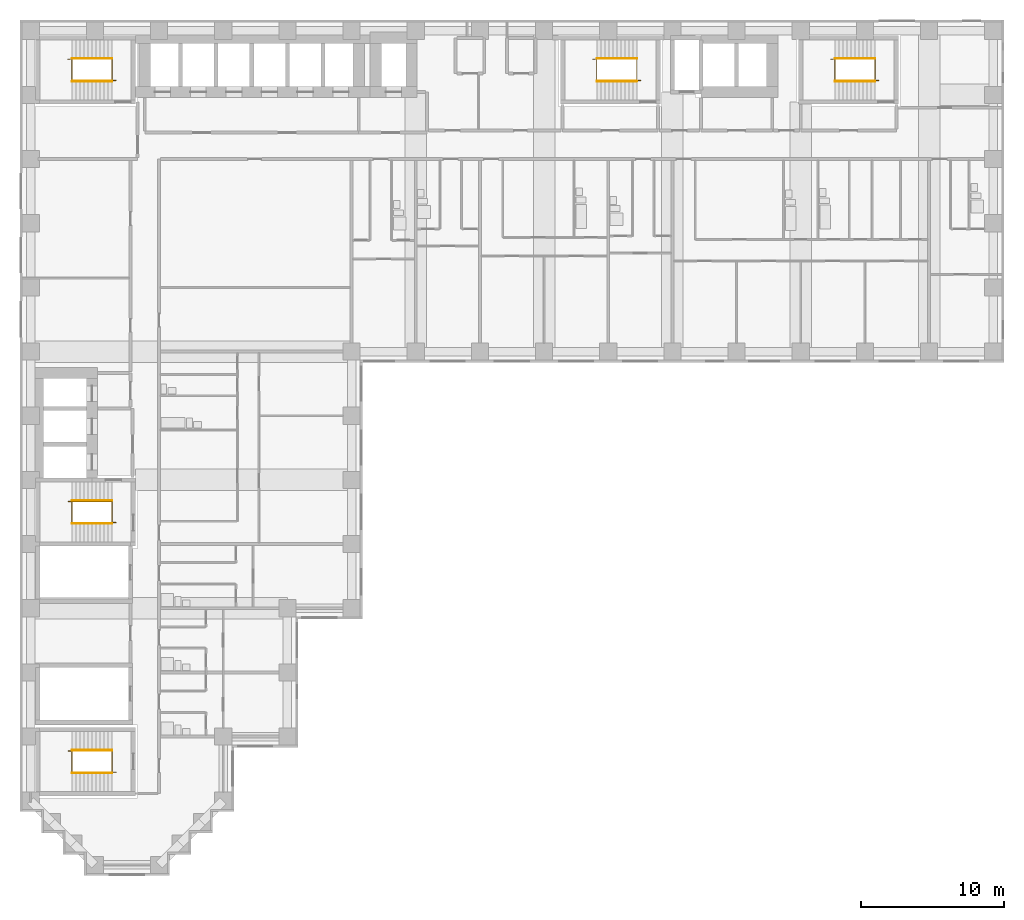
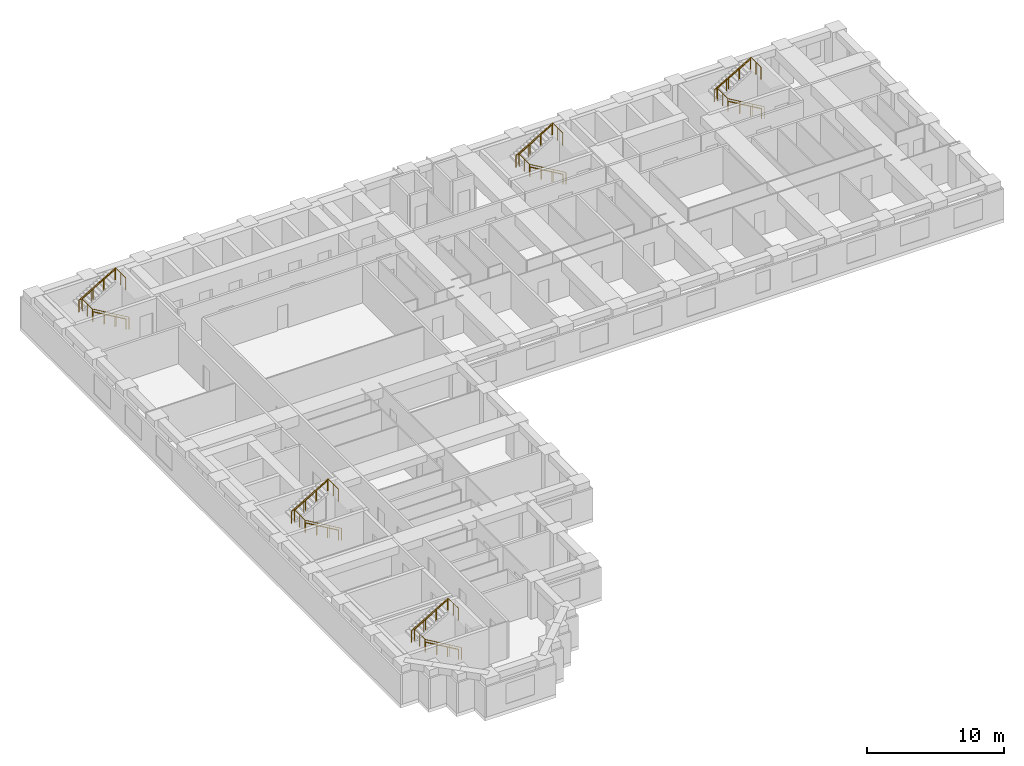
# One storey, part 11 of 12: 15 railings.
"""IFC4 building model written with IfcOpenShell, lengths in metres."""

import ifcopenshell
import ifcopenshell.guid

model = None  # the IFC model being written
_history = None  # IfcOwnerHistory: only IFC2X3 demands one
_inside = {}  # id of a spatial element -> (the spatial element, [elements in it])
_under = {}  # id of a project, library or spatial element -> (it, [spatial elements below it])
_declared = {}  # id of a project -> (the project, [libraries it declares])
_typed = {}  # id of a type object -> (the type object, [elements of that type])
_made_of = {}  # id of a material, layer set ... -> (it, [elements and type objects made of it])


def new_model(schema):
    """Start an empty IFC model of exactly this schema.

    Asked for "IFC4X3", IfcOpenShell would pick the latest addendum, in which some entities
    have other attributes; the version numbers below select the first issue.
    IFC2X3 requires an IfcOwnerHistory on every rooted entity: one is made here for all.
    """
    global model, _history
    if schema == "IFC4X3":
        model = ifcopenshell.file(schema_version=(4, 3, 0, 0))
    else:
        model = ifcopenshell.file(schema=schema)
    _inside.clear()
    _under.clear()
    _declared.clear()
    _typed.clear()
    _made_of.clear()
    _history = None
    if model.schema == "IFC2X3":
        org = make("IfcOrganization", Name="unknown")
        user = make(
            "IfcPersonAndOrganization",
            ThePerson=make("IfcPerson", FamilyName="unknown"),
            TheOrganization=org,
        )
        app = make(
            "IfcApplication",
            ApplicationDeveloper=org,
            Version="unknown",
            ApplicationFullName="unknown",
            ApplicationIdentifier="unknown",
        )
        _history = make(
            "IfcOwnerHistory",
            OwningUser=user,
            OwningApplication=app,
            ChangeAction="ADDED",
            CreationDate=0,
        )
    return model


def make(cls, **values):
    """One entity of the class cls with the attributes given. An attribute that is None is left unset."""
    return model.create_entity(
        cls, **{name: value for name, value in values.items() if value is not None}
    )


def rooted(cls, **values):
    """An entity with a GlobalId (a new one), such as an element, a storey or a relation."""
    return make(cls, GlobalId=ifcopenshell.guid.new(), OwnerHistory=_history, **values)


def si_unit(unit_type, name, prefix=None):
    """IfcSIUnit, for example si_unit("LENGTHUNIT", "METRE", prefix="MILLI")."""
    return make("IfcSIUnit", UnitType=unit_type, Prefix=prefix, Name=name)


def assignment(units):
    """IfcUnitAssignment: the units of a project."""
    return None if units is None else make("IfcUnitAssignment", Units=units)


def point(xyz):
    """IfcCartesianPoint."""
    return None if xyz is None else make("IfcCartesianPoint", Coordinates=xyz)


def direction(xyz):
    """IfcDirection."""
    return None if xyz is None else make("IfcDirection", DirectionRatios=xyz)


def frame(location, z_axis=None, x_axis=None):
    """IfcAxis2Placement3D, a coordinate frame: its origin and axes. An axis left out is left unset."""
    return make(
        "IfcAxis2Placement3D",
        Location=point(location),
        Axis=direction(z_axis),
        RefDirection=direction(x_axis),
    )


def frame_2d(location, x_axis=None):
    """IfcAxis2Placement2D, a coordinate frame in the plane: its origin and x axis."""
    return make(
        "IfcAxis2Placement2D", Location=point(location), RefDirection=direction(x_axis)
    )


def origin():
    """The frame at (0, 0, 0) with its axes left unset."""
    return frame((0.0, 0.0, 0.0))


def origin_2d():
    """The frame at (0, 0) in the plane with its x axis left unset."""
    return frame_2d((0.0, 0.0))


def place(relative_to, where):
    """IfcLocalPlacement: puts the frame where relative to a parent placement (None: the world)."""
    return make(
        "IfcLocalPlacement", PlacementRelTo=relative_to, RelativePlacement=where
    )


def context(
    kind, dimensions, precision=None, world=None, true_north=None, identifier=None
):
    """IfcGeometricRepresentationContext, for example the 3D "Model" context."""
    return make(
        "IfcGeometricRepresentationContext",
        ContextIdentifier=identifier,
        ContextType=kind,
        CoordinateSpaceDimension=dimensions,
        Precision=precision,
        WorldCoordinateSystem=world,
        TrueNorth=true_north,
    )


def subcontext(parent, identifier, kind, view, scale=None):
    """IfcGeometricRepresentationSubContext, for example "Body" below "Model"."""
    return make(
        "IfcGeometricRepresentationSubContext",
        ContextIdentifier=identifier,
        ContextType=kind,
        ParentContext=parent,
        TargetScale=scale,
        TargetView=view,
    )


def project(units=None, contexts=None):
    """IfcProject with its units and contexts."""
    return rooted(
        "IfcProject",
        Name="project",
        RepresentationContexts=contexts,
        UnitsInContext=assignment(units),
    )


def spatial(cls, under=None, at=None, **own):
    """A site, building, storey or space (cls), placed at a placement, below another one or the project."""
    s = rooted(cls, ObjectPlacement=at, **own)
    if under is not None:
        _under.setdefault(under.id(), (under, []))[1].append(s)
    return s


def profile(cls, at=None, kind="AREA", **sizes):
    """A parametric profile (cls). Its sizes go by their IFC names, for example OverallWidth=200.0."""
    return make(cls, ProfileType=kind, Position=at, **sizes)


def circle(**sizes):
    """IfcCircleProfileDef."""
    return profile("IfcCircleProfileDef", **sizes)


def extrude(swept, where, along, depth):
    """IfcExtrudedAreaSolid: the profile swept, set in the frame where, extruded along a direction by depth."""
    return make(
        "IfcExtrudedAreaSolid",
        SweptArea=swept,
        Position=where,
        ExtrudedDirection=direction(along),
        Depth=depth,
    )


def shape(context_of_items, identifier, shape_type, items):
    """IfcShapeRepresentation: the items that make up one representation, for example the "Body"."""
    return make(
        "IfcShapeRepresentation",
        ContextOfItems=context_of_items,
        RepresentationIdentifier=identifier,
        RepresentationType=shape_type,
        Items=items,
    )


def material(Name=None, Category=None):
    """IfcMaterial."""
    return make("IfcMaterial", Name=Name, Category=Category)


def made_of(thing, what):
    """Note that an element or type object is made of a material, layer set ...; save() writes the relation."""
    if what is not None:
        _made_of.setdefault(what.id(), (what, []))[1].append(thing)
    return thing


def type_object(cls, material=None, **own):
    """A type object (cls), such as IfcWallType, which elements share."""
    return made_of(rooted(cls, **own), material)


def element(
    cls,
    number,
    at=None,
    inside=None,
    cuts=None,
    type_object=None,
    material=None,
    context=None,
    identifier="Body",
    shape_type=None,
    held_by="IfcProductDefinitionShape",
    body=None,
    shapes=None,
    **own,
):
    """One element of the class cls, such as IfcWall. Its Tag is "e" and its number.

    at: its placement. inside: the storey or other place that contains it. cuts: it is an
    opening in that element (IfcRelVoidsElement). A single representation is given by context,
    identifier, shape_type and body (its items); several are given by shapes. held_by: the class
    of the entity that holds the representations. save() writes the other relations.
    """
    e = rooted(cls, Tag="e%d" % number, ObjectPlacement=at, **own)
    if body is not None:
        shapes = [shape(context, identifier, shape_type, body)]
    if shapes is not None:
        e.Representation = make(held_by, Representations=shapes)
    if inside is not None:
        _inside.setdefault(inside.id(), (inside, []))[1].append(e)
    if cuts is not None:
        rooted(
            "IfcRelVoidsElement", RelatingBuildingElement=cuts, RelatedOpeningElement=e
        )
    if type_object is not None:
        _typed.setdefault(type_object.id(), (type_object, []))[1].append(e)
    return made_of(e, material)


def aggregate(whole, parts):
    """IfcRelAggregates: a whole, such as a stair, and the parts it consists of."""
    return rooted("IfcRelAggregates", RelatingObject=whole, RelatedObjects=parts)


def save(model, path):
    """Write the relations noted so far, then the file.

    IfcRelAggregates (storeys below a building ...), IfcRelContainedInSpatialStructure (elements
    in a storey), IfcRelDefinesByType, IfcRelAssociatesMaterial and IfcRelDeclares: one each for
    every whole, place, type object, material and project.
    """
    for whole, parts in _under.values():
        aggregate(whole, parts)
    for where, things in _inside.values():
        rooted(
            "IfcRelContainedInSpatialStructure",
            RelatedElements=things,
            RelatingStructure=where,
        )
    for kind, things in _typed.values():
        rooted("IfcRelDefinesByType", RelatedObjects=things, RelatingType=kind)
    for what, things in _made_of.values():
        rooted("IfcRelAssociatesMaterial", RelatedObjects=things, RelatingMaterial=what)
    for by, libraries in _declared.values():
        rooted("IfcRelDeclares", RelatingContext=by, RelatedDefinitions=libraries)
    model.write(path)


model = new_model("IFC4")

# Units and contexts
model_context = context("Model", 3, precision=1e-05, world=origin(), true_north=direction((0.0, 1.0)))
body_context = subcontext(model_context, "Body", "Model", "MODEL_VIEW")
ifc_project = project(units=[si_unit("LENGTHUNIT", "METRE"), si_unit("AREAUNIT", "SQUARE_METRE"), si_unit("VOLUMEUNIT", "CUBIC_METRE"), si_unit("PLANEANGLEUNIT", "RADIAN"), si_unit("MASSUNIT", "GRAM", prefix="KILO")], contexts=[model_context])

# Site, building, storey
site_placement = place(None, origin())
site = spatial("IfcSite", under=ifc_project, at=site_placement, CompositionType="ELEMENT")
building_placement = place(site_placement, origin())
building = spatial("IfcBuilding", under=site, at=building_placement, Name="Firuza Court", CompositionType="ELEMENT")
storey_placement = place(building_placement, frame((0.0, 0.0, 43.39990234375)))
storey = spatial("IfcBuildingStorey", under=building, at=storey_placement, Name="L09", CompositionType="ELEMENT", Elevation=43.39990234375)

# Railings
ifc_material_1 = material(Name="Steel S355", Category="steel")
railing_type_1 = type_object("IfcRailingType", Name="Handrail 900", PredefinedType="HANDRAIL", material=ifc_material_1)
railing_1_placement = place(storey_placement, frame((42.5, 54.949951171875, 0.163818359375)))
element("IfcRailing", 1, at=railing_1_placement, inside=storey, type_object=railing_type_1, Name="Handrail S1 flight 1", PredefinedType="HANDRAIL", context=body_context, shape_type="SweptSolid", body=[
    extrude(circle(Radius=0.02490234375, at=origin_2d()), frame((0.0, 0.0, 0.875), z_axis=(-0.863393664356, 0.0, 0.504530851732), x_axis=(0.0, -1.0, 0.0)), (0.0, 0.0, 1.0), 3.2431640625),
    extrude(circle(Radius=0.02001953125, at=origin_2d()), origin(), (0.0, 0.0, 1.0), 0.849853515625),
    extrude(circle(Radius=0.02001953125, at=origin_2d()), frame((-0.933349609375, 0.0, 0.54541015625)), (0.0, 0.0, 1.0), 0.849853515625),
    extrude(circle(Radius=0.02001953125, at=origin_2d()), frame((-1.86669921875, 0.0, 1.0908203125)), (0.0, 0.0, 1.0), 0.849853515625),
    extrude(circle(Radius=0.02001953125, at=origin_2d()), frame((-2.800048828125, 0.0, 1.63623046875)), (0.0, 0.0, 1.0), 0.849853515625),
])
railing_2_placement = place(storey_placement, frame((39.699951171875, 56.550048828125, 1.963623046875)))
element("IfcRailing", 2, at=railing_2_placement, inside=storey, type_object=railing_type_1, Name="Handrail S1 flight 2", PredefinedType="HANDRAIL", context=body_context, shape_type="SweptSolid", body=[
    extrude(circle(Radius=0.02490234375, at=origin_2d()), frame((0.0, 0.0, 0.875), z_axis=(0.863360870873, 0.0, 0.504586966384), x_axis=(0.0, 1.0, 0.0)), (0.0, 0.0, 1.0), 3.2431640625),
    extrude(circle(Radius=0.02001953125, at=origin_2d()), origin(), (0.0, 0.0, 1.0), 0.849853515625),
    extrude(circle(Radius=0.02001953125, at=origin_2d()), frame((0.933349609375, 0.0, 0.54541015625)), (0.0, 0.0, 1.0), 0.849853515625),
    extrude(circle(Radius=0.02001953125, at=origin_2d()), frame((1.86669921875, 0.0, 1.091064453125)), (0.0, 0.0, 1.0), 0.849853515625),
    extrude(circle(Radius=0.02001953125, at=origin_2d()), frame((2.800048828125, 0.0, 1.636474609375)), (0.0, 0.0, 1.0), 0.849853515625),
])
railing_3_placement = place(storey_placement, frame((5.699951171875, 23.949951171875, 0.163818359375)))
element("IfcRailing", 3, at=railing_3_placement, inside=storey, type_object=railing_type_1, Name="Handrail S2 flight 1", PredefinedType="HANDRAIL", context=body_context, shape_type="SweptSolid", body=[
    extrude(circle(Radius=0.02490234375, at=origin_2d()), frame((0.0, 0.0, 0.875), z_axis=(-0.863393664356, 0.0, 0.504530851732), x_axis=(0.0, -1.0, 0.0)), (0.0, 0.0, 1.0), 3.2431640625),
    extrude(circle(Radius=0.02001953125, at=origin_2d()), origin(), (0.0, 0.0, 1.0), 0.849853515625),
    extrude(circle(Radius=0.02001953125, at=origin_2d()), frame((-0.933349609375, 0.0, 0.54541015625)), (0.0, 0.0, 1.0), 0.849853515625),
    extrude(circle(Radius=0.02001953125, at=origin_2d()), frame((-1.86669921875, 0.0, 1.0908203125)), (0.0, 0.0, 1.0), 0.849853515625),
    extrude(circle(Radius=0.02001953125, at=origin_2d()), frame((-2.800048828125, 0.0, 1.63623046875)), (0.0, 0.0, 1.0), 0.849853515625),
])
railing_4_placement = place(storey_placement, frame((2.89990234375, 25.550048828125, 1.963623046875)))
element("IfcRailing", 4, at=railing_4_placement, inside=storey, type_object=railing_type_1, Name="Handrail S2 flight 2", PredefinedType="HANDRAIL", context=body_context, shape_type="SweptSolid", body=[
    extrude(circle(Radius=0.02490234375, at=origin_2d()), frame((0.0, 0.0, 0.875), z_axis=(0.863360870873, 0.0, 0.504586966384), x_axis=(0.0, 1.0, 0.0)), (0.0, 0.0, 1.0), 3.2431640625),
    extrude(circle(Radius=0.02001953125, at=origin_2d()), origin(), (0.0, 0.0, 1.0), 0.849853515625),
    extrude(circle(Radius=0.02001953125, at=origin_2d()), frame((0.933349609375, 0.0, 0.54541015625)), (0.0, 0.0, 1.0), 0.849853515625),
    extrude(circle(Radius=0.02001953125, at=origin_2d()), frame((1.86669921875, 0.0, 1.091064453125)), (0.0, 0.0, 1.0), 0.849853515625),
    extrude(circle(Radius=0.02001953125, at=origin_2d()), frame((2.800048828125, 0.0, 1.636474609375)), (0.0, 0.0, 1.0), 0.849853515625),
])
railing_5_placement = place(storey_placement, frame((5.699951171875, 54.949951171875, 0.163818359375)))
element("IfcRailing", 5, at=railing_5_placement, inside=storey, type_object=railing_type_1, Name="Handrail S3 flight 1", PredefinedType="HANDRAIL", context=body_context, shape_type="SweptSolid", body=[
    extrude(circle(Radius=0.02490234375, at=origin_2d()), frame((0.0, 0.0, 0.875), z_axis=(-0.863393664356, 0.0, 0.504530851732), x_axis=(0.0, -1.0, 0.0)), (0.0, 0.0, 1.0), 3.2431640625),
    extrude(circle(Radius=0.02001953125, at=origin_2d()), origin(), (0.0, 0.0, 1.0), 0.849853515625),
    extrude(circle(Radius=0.02001953125, at=origin_2d()), frame((-0.933349609375, 0.0, 0.54541015625)), (0.0, 0.0, 1.0), 0.849853515625),
    extrude(circle(Radius=0.02001953125, at=origin_2d()), frame((-1.86669921875, 0.0, 1.0908203125)), (0.0, 0.0, 1.0), 0.849853515625),
    extrude(circle(Radius=0.02001953125, at=origin_2d()), frame((-2.800048828125, 0.0, 1.63623046875)), (0.0, 0.0, 1.0), 0.849853515625),
])
railing_6_placement = place(storey_placement, frame((2.89990234375, 56.550048828125, 1.963623046875)))
element("IfcRailing", 6, at=railing_6_placement, inside=storey, type_object=railing_type_1, Name="Handrail S3 flight 2", PredefinedType="HANDRAIL", context=body_context, shape_type="SweptSolid", body=[
    extrude(circle(Radius=0.02490234375, at=origin_2d()), frame((0.0, 0.0, 0.875), z_axis=(0.863360870873, 0.0, 0.504586966384), x_axis=(0.0, 1.0, 0.0)), (0.0, 0.0, 1.0), 3.2431640625),
    extrude(circle(Radius=0.02001953125, at=origin_2d()), origin(), (0.0, 0.0, 1.0), 0.849853515625),
    extrude(circle(Radius=0.02001953125, at=origin_2d()), frame((0.933349609375, 0.0, 0.54541015625)), (0.0, 0.0, 1.0), 0.849853515625),
    extrude(circle(Radius=0.02001953125, at=origin_2d()), frame((1.86669921875, 0.0, 1.091064453125)), (0.0, 0.0, 1.0), 0.849853515625),
    extrude(circle(Radius=0.02001953125, at=origin_2d()), frame((2.800048828125, 0.0, 1.636474609375)), (0.0, 0.0, 1.0), 0.849853515625),
])
railing_7_placement = place(storey_placement, frame((59.199951171875, 54.949951171875, 0.163818359375)))
element("IfcRailing", 7, at=railing_7_placement, inside=storey, type_object=railing_type_1, Name="Handrail S4 flight 1", PredefinedType="HANDRAIL", context=body_context, shape_type="SweptSolid", body=[
    extrude(circle(Radius=0.02490234375, at=origin_2d()), frame((0.0, 0.0, 0.875), z_axis=(-0.863393664356, 0.0, 0.504530851732), x_axis=(0.0, -1.0, 0.0)), (0.0, 0.0, 1.0), 3.2431640625),
    extrude(circle(Radius=0.02001953125, at=origin_2d()), origin(), (0.0, 0.0, 1.0), 0.849853515625),
    extrude(circle(Radius=0.02001953125, at=origin_2d()), frame((-0.933349609375, 0.0, 0.54541015625)), (0.0, 0.0, 1.0), 0.849853515625),
    extrude(circle(Radius=0.02001953125, at=origin_2d()), frame((-1.86669921875, 0.0, 1.0908203125)), (0.0, 0.0, 1.0), 0.849853515625),
    extrude(circle(Radius=0.02001953125, at=origin_2d()), frame((-2.800048828125, 0.0, 1.63623046875)), (0.0, 0.0, 1.0), 0.849853515625),
])
railing_8_placement = place(storey_placement, frame((56.39990234375, 56.550048828125, 1.963623046875)))
element("IfcRailing", 8, at=railing_8_placement, inside=storey, type_object=railing_type_1, Name="Handrail S4 flight 2", PredefinedType="HANDRAIL", context=body_context, shape_type="SweptSolid", body=[
    extrude(circle(Radius=0.02490234375, at=origin_2d()), frame((0.0, 0.0, 0.875), z_axis=(0.863360870873, 0.0, 0.504586966384), x_axis=(0.0, 1.0, 0.0)), (0.0, 0.0, 1.0), 3.2431640625),
    extrude(circle(Radius=0.02001953125, at=origin_2d()), origin(), (0.0, 0.0, 1.0), 0.849853515625),
    extrude(circle(Radius=0.02001953125, at=origin_2d()), frame((0.933349609375, 0.0, 0.54541015625)), (0.0, 0.0, 1.0), 0.849853515625),
    extrude(circle(Radius=0.02001953125, at=origin_2d()), frame((1.86669921875, 0.0, 1.091064453125)), (0.0, 0.0, 1.0), 0.849853515625),
    extrude(circle(Radius=0.02001953125, at=origin_2d()), frame((2.800048828125, 0.0, 1.636474609375)), (0.0, 0.0, 1.0), 0.849853515625),
])
railing_9_placement = place(storey_placement, frame((5.699951171875, 6.449951171875, 0.163818359375)))
element("IfcRailing", 9, at=railing_9_placement, inside=storey, type_object=railing_type_1, Name="Handrail S5 flight 1", PredefinedType="HANDRAIL", context=body_context, shape_type="SweptSolid", body=[
    extrude(circle(Radius=0.02490234375, at=origin_2d()), frame((0.0, 0.0, 0.875), z_axis=(-0.863393664356, 0.0, 0.504530851732), x_axis=(0.0, -1.0, 0.0)), (0.0, 0.0, 1.0), 3.2431640625),
    extrude(circle(Radius=0.02001953125, at=origin_2d()), origin(), (0.0, 0.0, 1.0), 0.849853515625),
    extrude(circle(Radius=0.02001953125, at=origin_2d()), frame((-0.933349609375, 0.0, 0.54541015625)), (0.0, 0.0, 1.0), 0.849853515625),
    extrude(circle(Radius=0.02001953125, at=origin_2d()), frame((-1.86669921875, 0.0, 1.0908203125)), (0.0, 0.0, 1.0), 0.849853515625),
    extrude(circle(Radius=0.02001953125, at=origin_2d()), frame((-2.800048828125, 0.0, 1.63623046875)), (0.0, 0.0, 1.0), 0.849853515625),
])
railing_10_placement = place(storey_placement, frame((2.89990234375, 8.050048828125, 1.963623046875)))
element("IfcRailing", 10, at=railing_10_placement, inside=storey, type_object=railing_type_1, Name="Handrail S5 flight 2", PredefinedType="HANDRAIL", context=body_context, shape_type="SweptSolid", body=[
    extrude(circle(Radius=0.02490234375, at=origin_2d()), frame((0.0, 0.0, 0.875), z_axis=(0.863360870873, 0.0, 0.504586966384), x_axis=(0.0, 1.0, 0.0)), (0.0, 0.0, 1.0), 3.2431640625),
    extrude(circle(Radius=0.02001953125, at=origin_2d()), origin(), (0.0, 0.0, 1.0), 0.849853515625),
    extrude(circle(Radius=0.02001953125, at=origin_2d()), frame((0.933349609375, 0.0, 0.54541015625)), (0.0, 0.0, 1.0), 0.849853515625),
    extrude(circle(Radius=0.02001953125, at=origin_2d()), frame((1.86669921875, 0.0, 1.091064453125)), (0.0, 0.0, 1.0), 0.849853515625),
    extrude(circle(Radius=0.02001953125, at=origin_2d()), frame((2.800048828125, 0.0, 1.636474609375)), (0.0, 0.0, 1.0), 0.849853515625),
])
ifc_material_2 = material(Name="Steel S355", Category="steel")
railing_type_2 = type_object("IfcRailingType", Name="Stair guard 1100", PredefinedType="GUARDRAIL", material=ifc_material_2)
railing_11_placement = place(storey_placement, frame((42.780029296875, 55.010009765625, 0.0)))
element("IfcRailing", 11, at=railing_11_placement, inside=storey, type_object=railing_type_2, Name="Stair well guard S1", PredefinedType="GUARDRAIL", context=body_context, shape_type="SweptSolid", body=[
    extrude(circle(Radius=0.02490234375, at=origin_2d()), frame((0.0, 0.0, 1.0751953125), z_axis=(-0.863371556955, 0.0, 0.504568681787), x_axis=(0.0, -1.0, 0.0)), (0.0, 0.0, 1.0), 3.5673828125),
    extrude(circle(Radius=0.02490234375, at=origin_2d()), frame((-3.080078125, 0.0, 2.875), z_axis=(0.0, 1.0, 0.0), x_axis=(-1.0, 0.0, 0.0)), (0.0, 0.0, 1.0), 1.47998046875),
    extrude(circle(Radius=0.02490234375, at=origin_2d()), frame((-3.080078125, 1.47998046875, 2.875), z_axis=(-1.0, 0.0, 0.0), x_axis=(0.0, -1.0, 0.0)), (0.0, 0.0, 1.0), 0.280029296875),
    extrude(circle(Radius=0.02490234375, at=origin_2d()), frame((-3.360107421875, 1.47998046875, 2.875), z_axis=(0.863371556955, 0.0, 0.504568681787), x_axis=(0.0, 1.0, 0.0)), (0.0, 0.0, 1.0), 3.5673828125),
    extrude(circle(Radius=0.02490234375, at=origin_2d()), frame((-0.280029296875, 1.47998046875, 4.67529296875), z_axis=(0.0, -1.0, 0.0), x_axis=(1.0, 0.0, 0.0)), (0.0, 0.0, 1.0), 1.47998046875),
    extrude(circle(Radius=0.02490234375, at=origin_2d()), origin(), (0.0, 0.0, 1.0), 1.050048828125),
    extrude(circle(Radius=0.02490234375, at=origin_2d()), frame((-1.026611328125, 0.0, 0.60009765625)), (0.0, 0.0, 1.0), 1.050048828125),
    extrude(circle(Radius=0.02490234375, at=origin_2d()), frame((-2.053466796875, 0.0, 1.199951171875)), (0.0, 0.0, 1.0), 1.050048828125),
    extrude(circle(Radius=0.02490234375, at=origin_2d()), frame((-3.080078125, 0.0, 1.800048828125)), (0.0, 0.0, 1.0), 1.050048828125),
    extrude(circle(Radius=0.02490234375, at=origin_2d()), frame((-3.080078125, 0.739990234375, 1.800048828125)), (0.0, 0.0, 1.0), 1.050048828125),
    extrude(circle(Radius=0.02490234375, at=origin_2d()), frame((-3.080078125, 1.47998046875, 1.800048828125)), (0.0, 0.0, 1.0), 1.050048828125),
    extrude(circle(Radius=0.02490234375, at=origin_2d()), frame((-3.360107421875, 1.47998046875, 1.800048828125)), (0.0, 0.0, 1.0), 1.050048828125),
    extrude(circle(Radius=0.02490234375, at=origin_2d()), frame((-2.33349609375, 1.47998046875, 2.400146484375)), (0.0, 0.0, 1.0), 1.050048828125),
    extrude(circle(Radius=0.02490234375, at=origin_2d()), frame((-1.306640625, 1.47998046875, 3.0)), (0.0, 0.0, 1.0), 1.050048828125),
    extrude(circle(Radius=0.02490234375, at=origin_2d()), frame((-0.280029296875, 1.47998046875, 3.60009765625)), (0.0, 0.0, 1.0), 1.050048828125),
    extrude(circle(Radius=0.02490234375, at=origin_2d()), frame((-0.280029296875, 0.739990234375, 3.60009765625)), (0.0, 0.0, 1.0), 1.050048828125),
    extrude(circle(Radius=0.02490234375, at=origin_2d()), frame((-0.280029296875, 0.0, 3.60009765625)), (0.0, 0.0, 1.0), 1.050048828125),
])
railing_12_placement = place(storey_placement, frame((5.97998046875, 24.010009765625, 0.0)))
element("IfcRailing", 12, at=railing_12_placement, inside=storey, type_object=railing_type_2, Name="Stair well guard S2", PredefinedType="GUARDRAIL", context=body_context, shape_type="SweptSolid", body=[
    extrude(circle(Radius=0.02490234375, at=origin_2d()), frame((0.0, 0.0, 1.0751953125), z_axis=(-0.863371556955, 0.0, 0.504568681787), x_axis=(0.0, -1.0, 0.0)), (0.0, 0.0, 1.0), 3.5673828125),
    extrude(circle(Radius=0.02490234375, at=origin_2d()), frame((-3.080078125, 0.0, 2.875), z_axis=(0.0, 1.0, 0.0), x_axis=(-1.0, 0.0, 0.0)), (0.0, 0.0, 1.0), 1.47998046875),
    extrude(circle(Radius=0.02490234375, at=origin_2d()), frame((-3.080078125, 1.47998046875, 2.875), z_axis=(-1.0, 0.0, 0.0), x_axis=(0.0, -1.0, 0.0)), (0.0, 0.0, 1.0), 0.27978515625),
    extrude(circle(Radius=0.02490234375, at=origin_2d()), frame((-3.35986328125, 1.47998046875, 2.875), z_axis=(0.863354132664, 0.0, 0.504598495452), x_axis=(0.0, 1.0, 0.0)), (0.0, 0.0, 1.0), 3.5673828125),
    extrude(circle(Radius=0.02490234375, at=origin_2d()), frame((-0.280029296875, 1.47998046875, 4.67529296875), z_axis=(0.0, -1.0, 0.0), x_axis=(1.0, 0.0, 0.0)), (0.0, 0.0, 1.0), 1.47998046875),
    extrude(circle(Radius=0.02490234375, at=origin_2d()), origin(), (0.0, 0.0, 1.0), 1.050048828125),
    extrude(circle(Radius=0.02490234375, at=origin_2d()), frame((-1.026611328125, 0.0, 0.60009765625)), (0.0, 0.0, 1.0), 1.050048828125),
    extrude(circle(Radius=0.02490234375, at=origin_2d()), frame((-2.053466796875, 0.0, 1.199951171875)), (0.0, 0.0, 1.0), 1.050048828125),
    extrude(circle(Radius=0.02490234375, at=origin_2d()), frame((-3.080078125, 0.0, 1.800048828125)), (0.0, 0.0, 1.0), 1.050048828125),
    extrude(circle(Radius=0.02490234375, at=origin_2d()), frame((-3.080078125, 0.739990234375, 1.800048828125)), (0.0, 0.0, 1.0), 1.050048828125),
    extrude(circle(Radius=0.02490234375, at=origin_2d()), frame((-3.080078125, 1.47998046875, 1.800048828125)), (0.0, 0.0, 1.0), 1.050048828125),
    extrude(circle(Radius=0.02490234375, at=origin_2d()), frame((-3.35986328125, 1.47998046875, 1.800048828125)), (0.0, 0.0, 1.0), 1.050048828125),
    extrude(circle(Radius=0.02490234375, at=origin_2d()), frame((-2.333251953125, 1.47998046875, 2.400146484375)), (0.0, 0.0, 1.0), 1.050048828125),
    extrude(circle(Radius=0.02490234375, at=origin_2d()), frame((-1.306640625, 1.47998046875, 3.0)), (0.0, 0.0, 1.0), 1.050048828125),
    extrude(circle(Radius=0.02490234375, at=origin_2d()), frame((-0.280029296875, 1.47998046875, 3.60009765625)), (0.0, 0.0, 1.0), 1.050048828125),
    extrude(circle(Radius=0.02490234375, at=origin_2d()), frame((-0.280029296875, 0.739990234375, 3.60009765625)), (0.0, 0.0, 1.0), 1.050048828125),
    extrude(circle(Radius=0.02490234375, at=origin_2d()), frame((-0.280029296875, 0.0, 3.60009765625)), (0.0, 0.0, 1.0), 1.050048828125),
])
railing_13_placement = place(storey_placement, frame((5.97998046875, 55.010009765625, 0.0)))
element("IfcRailing", 13, at=railing_13_placement, inside=storey, type_object=railing_type_2, Name="Stair well guard S3", PredefinedType="GUARDRAIL", context=body_context, shape_type="SweptSolid", body=[
    extrude(circle(Radius=0.02490234375, at=origin_2d()), frame((0.0, 0.0, 1.0751953125), z_axis=(-0.863371556955, 0.0, 0.504568681787), x_axis=(0.0, -1.0, 0.0)), (0.0, 0.0, 1.0), 3.5673828125),
    extrude(circle(Radius=0.02490234375, at=origin_2d()), frame((-3.080078125, 0.0, 2.875), z_axis=(0.0, 1.0, 0.0), x_axis=(-1.0, 0.0, 0.0)), (0.0, 0.0, 1.0), 1.47998046875),
    extrude(circle(Radius=0.02490234375, at=origin_2d()), frame((-3.080078125, 1.47998046875, 2.875), z_axis=(-1.0, 0.0, 0.0), x_axis=(0.0, -1.0, 0.0)), (0.0, 0.0, 1.0), 0.27978515625),
    extrude(circle(Radius=0.02490234375, at=origin_2d()), frame((-3.35986328125, 1.47998046875, 2.875), z_axis=(0.863354132664, 0.0, 0.504598495452), x_axis=(0.0, 1.0, 0.0)), (0.0, 0.0, 1.0), 3.5673828125),
    extrude(circle(Radius=0.02490234375, at=origin_2d()), frame((-0.280029296875, 1.47998046875, 4.67529296875), z_axis=(0.0, -1.0, 0.0), x_axis=(1.0, 0.0, 0.0)), (0.0, 0.0, 1.0), 1.47998046875),
    extrude(circle(Radius=0.02490234375, at=origin_2d()), origin(), (0.0, 0.0, 1.0), 1.050048828125),
    extrude(circle(Radius=0.02490234375, at=origin_2d()), frame((-1.026611328125, 0.0, 0.60009765625)), (0.0, 0.0, 1.0), 1.050048828125),
    extrude(circle(Radius=0.02490234375, at=origin_2d()), frame((-2.053466796875, 0.0, 1.199951171875)), (0.0, 0.0, 1.0), 1.050048828125),
    extrude(circle(Radius=0.02490234375, at=origin_2d()), frame((-3.080078125, 0.0, 1.800048828125)), (0.0, 0.0, 1.0), 1.050048828125),
    extrude(circle(Radius=0.02490234375, at=origin_2d()), frame((-3.080078125, 0.739990234375, 1.800048828125)), (0.0, 0.0, 1.0), 1.050048828125),
    extrude(circle(Radius=0.02490234375, at=origin_2d()), frame((-3.080078125, 1.47998046875, 1.800048828125)), (0.0, 0.0, 1.0), 1.050048828125),
    extrude(circle(Radius=0.02490234375, at=origin_2d()), frame((-3.35986328125, 1.47998046875, 1.800048828125)), (0.0, 0.0, 1.0), 1.050048828125),
    extrude(circle(Radius=0.02490234375, at=origin_2d()), frame((-2.333251953125, 1.47998046875, 2.400146484375)), (0.0, 0.0, 1.0), 1.050048828125),
    extrude(circle(Radius=0.02490234375, at=origin_2d()), frame((-1.306640625, 1.47998046875, 3.0)), (0.0, 0.0, 1.0), 1.050048828125),
    extrude(circle(Radius=0.02490234375, at=origin_2d()), frame((-0.280029296875, 1.47998046875, 3.60009765625)), (0.0, 0.0, 1.0), 1.050048828125),
    extrude(circle(Radius=0.02490234375, at=origin_2d()), frame((-0.280029296875, 0.739990234375, 3.60009765625)), (0.0, 0.0, 1.0), 1.050048828125),
    extrude(circle(Radius=0.02490234375, at=origin_2d()), frame((-0.280029296875, 0.0, 3.60009765625)), (0.0, 0.0, 1.0), 1.050048828125),
])
railing_14_placement = place(storey_placement, frame((59.47998046875, 55.010009765625, 0.0)))
element("IfcRailing", 14, at=railing_14_placement, inside=storey, type_object=railing_type_2, Name="Stair well guard S4", PredefinedType="GUARDRAIL", context=body_context, shape_type="SweptSolid", body=[
    extrude(circle(Radius=0.02490234375, at=origin_2d()), frame((0.0, 0.0, 1.0751953125), z_axis=(-0.863371556955, 0.0, 0.504568681787), x_axis=(0.0, -1.0, 0.0)), (0.0, 0.0, 1.0), 3.5673828125),
    extrude(circle(Radius=0.02490234375, at=origin_2d()), frame((-3.080078125, 0.0, 2.875), z_axis=(0.0, 1.0, 0.0), x_axis=(-1.0, 0.0, 0.0)), (0.0, 0.0, 1.0), 1.47998046875),
    extrude(circle(Radius=0.02490234375, at=origin_2d()), frame((-3.080078125, 1.47998046875, 2.875), z_axis=(-1.0, 0.0, 0.0), x_axis=(0.0, -1.0, 0.0)), (0.0, 0.0, 1.0), 0.27978515625),
    extrude(circle(Radius=0.02490234375, at=origin_2d()), frame((-3.35986328125, 1.47998046875, 2.875), z_axis=(0.863354132664, 0.0, 0.504598495452), x_axis=(0.0, 1.0, 0.0)), (0.0, 0.0, 1.0), 3.5673828125),
    extrude(circle(Radius=0.02490234375, at=origin_2d()), frame((-0.280029296875, 1.47998046875, 4.67529296875), z_axis=(0.0, -1.0, 0.0), x_axis=(1.0, 0.0, 0.0)), (0.0, 0.0, 1.0), 1.47998046875),
    extrude(circle(Radius=0.02490234375, at=origin_2d()), origin(), (0.0, 0.0, 1.0), 1.050048828125),
    extrude(circle(Radius=0.02490234375, at=origin_2d()), frame((-1.026611328125, 0.0, 0.60009765625)), (0.0, 0.0, 1.0), 1.050048828125),
    extrude(circle(Radius=0.02490234375, at=origin_2d()), frame((-2.053466796875, 0.0, 1.199951171875)), (0.0, 0.0, 1.0), 1.050048828125),
    extrude(circle(Radius=0.02490234375, at=origin_2d()), frame((-3.080078125, 0.0, 1.800048828125)), (0.0, 0.0, 1.0), 1.050048828125),
    extrude(circle(Radius=0.02490234375, at=origin_2d()), frame((-3.080078125, 0.739990234375, 1.800048828125)), (0.0, 0.0, 1.0), 1.050048828125),
    extrude(circle(Radius=0.02490234375, at=origin_2d()), frame((-3.080078125, 1.47998046875, 1.800048828125)), (0.0, 0.0, 1.0), 1.050048828125),
    extrude(circle(Radius=0.02490234375, at=origin_2d()), frame((-3.35986328125, 1.47998046875, 1.800048828125)), (0.0, 0.0, 1.0), 1.050048828125),
    extrude(circle(Radius=0.02490234375, at=origin_2d()), frame((-2.333251953125, 1.47998046875, 2.400146484375)), (0.0, 0.0, 1.0), 1.050048828125),
    extrude(circle(Radius=0.02490234375, at=origin_2d()), frame((-1.306640625, 1.47998046875, 3.0)), (0.0, 0.0, 1.0), 1.050048828125),
    extrude(circle(Radius=0.02490234375, at=origin_2d()), frame((-0.280029296875, 1.47998046875, 3.60009765625)), (0.0, 0.0, 1.0), 1.050048828125),
    extrude(circle(Radius=0.02490234375, at=origin_2d()), frame((-0.280029296875, 0.739990234375, 3.60009765625)), (0.0, 0.0, 1.0), 1.050048828125),
    extrude(circle(Radius=0.02490234375, at=origin_2d()), frame((-0.280029296875, 0.0, 3.60009765625)), (0.0, 0.0, 1.0), 1.050048828125),
])
railing_15_placement = place(storey_placement, frame((5.97998046875, 6.510009765625, 0.0)))
element("IfcRailing", 15, at=railing_15_placement, inside=storey, type_object=railing_type_2, Name="Stair well guard S5", PredefinedType="GUARDRAIL", context=body_context, shape_type="SweptSolid", body=[
    extrude(circle(Radius=0.02490234375, at=origin_2d()), frame((0.0, 0.0, 1.0751953125), z_axis=(-0.863371556955, 0.0, 0.504568681787), x_axis=(0.0, -1.0, 0.0)), (0.0, 0.0, 1.0), 3.5673828125),
    extrude(circle(Radius=0.02490234375, at=origin_2d()), frame((-3.080078125, 0.0, 2.875), z_axis=(0.0, 1.0, 0.0), x_axis=(-1.0, 0.0, 0.0)), (0.0, 0.0, 1.0), 1.47998046875),
    extrude(circle(Radius=0.02490234375, at=origin_2d()), frame((-3.080078125, 1.47998046875, 2.875), z_axis=(-1.0, 0.0, 0.0), x_axis=(0.0, -1.0, 0.0)), (0.0, 0.0, 1.0), 0.27978515625),
    extrude(circle(Radius=0.02490234375, at=origin_2d()), frame((-3.35986328125, 1.47998046875, 2.875), z_axis=(0.863354132664, 0.0, 0.504598495452), x_axis=(0.0, 1.0, 0.0)), (0.0, 0.0, 1.0), 3.5673828125),
    extrude(circle(Radius=0.02490234375, at=origin_2d()), frame((-0.280029296875, 1.47998046875, 4.67529296875), z_axis=(0.0, -1.0, 0.0), x_axis=(1.0, 0.0, 0.0)), (0.0, 0.0, 1.0), 1.47998046875),
    extrude(circle(Radius=0.02490234375, at=origin_2d()), origin(), (0.0, 0.0, 1.0), 1.050048828125),
    extrude(circle(Radius=0.02490234375, at=origin_2d()), frame((-1.026611328125, 0.0, 0.60009765625)), (0.0, 0.0, 1.0), 1.050048828125),
    extrude(circle(Radius=0.02490234375, at=origin_2d()), frame((-2.053466796875, 0.0, 1.199951171875)), (0.0, 0.0, 1.0), 1.050048828125),
    extrude(circle(Radius=0.02490234375, at=origin_2d()), frame((-3.080078125, 0.0, 1.800048828125)), (0.0, 0.0, 1.0), 1.050048828125),
    extrude(circle(Radius=0.02490234375, at=origin_2d()), frame((-3.080078125, 0.739990234375, 1.800048828125)), (0.0, 0.0, 1.0), 1.050048828125),
    extrude(circle(Radius=0.02490234375, at=origin_2d()), frame((-3.080078125, 1.47998046875, 1.800048828125)), (0.0, 0.0, 1.0), 1.050048828125),
    extrude(circle(Radius=0.02490234375, at=origin_2d()), frame((-3.35986328125, 1.47998046875, 1.800048828125)), (0.0, 0.0, 1.0), 1.050048828125),
    extrude(circle(Radius=0.02490234375, at=origin_2d()), frame((-2.333251953125, 1.47998046875, 2.400146484375)), (0.0, 0.0, 1.0), 1.050048828125),
    extrude(circle(Radius=0.02490234375, at=origin_2d()), frame((-1.306640625, 1.47998046875, 3.0)), (0.0, 0.0, 1.0), 1.050048828125),
    extrude(circle(Radius=0.02490234375, at=origin_2d()), frame((-0.280029296875, 1.47998046875, 3.60009765625)), (0.0, 0.0, 1.0), 1.050048828125),
    extrude(circle(Radius=0.02490234375, at=origin_2d()), frame((-0.280029296875, 0.739990234375, 3.60009765625)), (0.0, 0.0, 1.0), 1.050048828125),
    extrude(circle(Radius=0.02490234375, at=origin_2d()), frame((-0.280029296875, 0.0, 3.60009765625)), (0.0, 0.0, 1.0), 1.050048828125),
])

save(model, "model.ifc")
